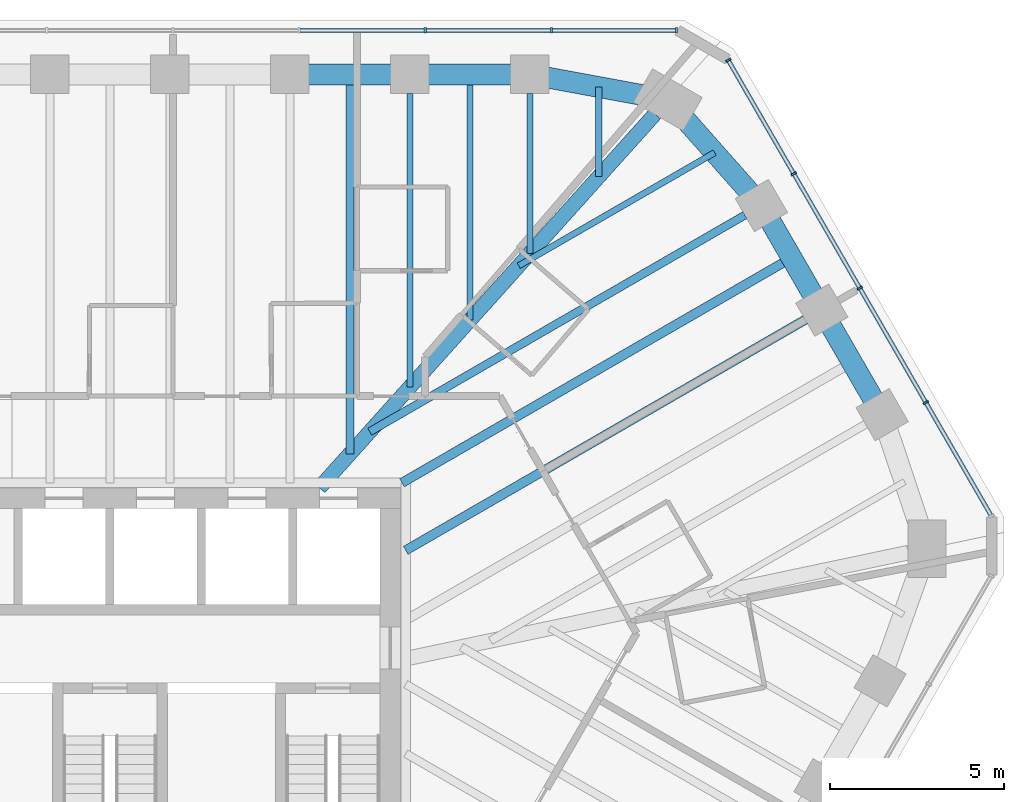
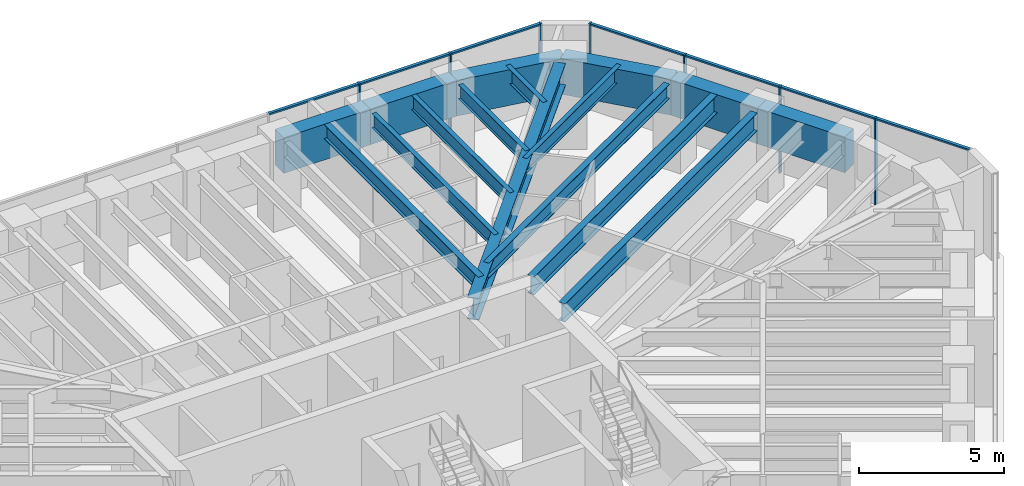
# One storey, part 7 of 14: 16 beams, 14 members, 2 elements without a shape of their own.
"""IFC4 building model written with IfcOpenShell, lengths in metres."""

from ifc_helpers import new_model, si_unit, direction, frame, origin, origin_2d, place, context, subcontext, project, spatial, rectangle, i_section, extrude, material, material_profile, profile_set, type_object, element, aggregate, save


model = new_model("IFC4")

# Units and contexts
model_context = context("Model", 3, precision=1e-05, world=origin(), true_north=direction((0.0, 1.0)))
body_context = subcontext(model_context, "Body", "Model", "MODEL_VIEW")
ifc_project = project(units=[si_unit("LENGTHUNIT", "METRE"), si_unit("AREAUNIT", "SQUARE_METRE"), si_unit("VOLUMEUNIT", "CUBIC_METRE"), si_unit("PLANEANGLEUNIT", "RADIAN"), si_unit("MASSUNIT", "GRAM", prefix="KILO")], contexts=[model_context])

# Site, building, storey
site_placement = place(None, origin())
site = spatial("IfcSite", under=ifc_project, at=site_placement, CompositionType="ELEMENT")
building_placement = place(site_placement, origin())
building = spatial("IfcBuilding", under=site, at=building_placement, Name="Sandreach Pilgrim Tower", CompositionType="ELEMENT")
storey_placement = place(building_placement, frame((0.0, 0.0, 272.199951171875)))
storey = spatial("IfcBuildingStorey", under=building, at=storey_placement, Name="L68", CompositionType="ELEMENT", Elevation=272.199951171875)

# Curtain wall, members
ifc_material_1 = material(Name="Aluminium framed curtain wall", Category="aluminium")
curtain_wall_type = type_object("IfcCurtainWallType", Name="Suite tower curtain wall", PredefinedType="NOTDEFINED", material=ifc_material_1)
curtain_wall_1_placement = place(storey_placement, origin())
curtain_wall_1 = element("IfcCurtainWall", 1, at=curtain_wall_1_placement, inside=storey, type_object=curtain_wall_type, Name="CW-4 L68 N", PredefinedType="NOTDEFINED")
ifc_material_2 = material(Name="Aluminium extrusion", Category="aluminium")
ifc_material_profile_1 = material_profile(ifc_material_2, rectangle(XDim=0.06005859375, YDim=0.159912109375, at=origin_2d()), Name="CW-4M 60X160")
ifc_profile_set_1 = profile_set([ifc_material_profile_1], Name="Aluminium extrusion")
member_type_1 = type_object("IfcMemberType", Name="CW-4 mullion", PredefinedType="MULLION", material=ifc_profile_set_1)
member_1_placement = place(storey_placement, frame((9.0546875, 19.826416015625, 0.0), z_axis=(0.0, 0.0, 1.0), x_axis=(1.0, 0.0, 0.0)))
member_1 = element("IfcMember", 2, at=member_1_placement, type_object=member_type_1, Name="CW-4 mullion 8", PredefinedType="MULLION", context=body_context, shape_type="SweptSolid", body=[
    extrude(rectangle(XDim=0.06005859375, YDim=0.159912109375, at=origin_2d()), origin(), (0.0, 0.0, 1.0), 3.64013671875),
])
member_2_placement = place(storey_placement, frame((12.676513671875, 19.826416015625, 0.0), z_axis=(0.0, 0.0, 1.0), x_axis=(1.0, 0.0, 0.0)))
member_2 = element("IfcMember", 3, at=member_2_placement, type_object=member_type_1, Name="CW-4 mullion 9", PredefinedType="MULLION", context=body_context, shape_type="SweptSolid", body=[
    extrude(rectangle(XDim=0.06005859375, YDim=0.159912109375, at=origin_2d()), origin(), (0.0, 0.0, 1.0), 3.64013671875),
])
member_3_placement = place(storey_placement, frame((16.268310546875, 19.826416015625, 0.0), z_axis=(0.0, 0.0, 1.0), x_axis=(1.0, 0.0, 0.0)))
member_3 = element("IfcMember", 4, at=member_3_placement, type_object=member_type_1, Name="CW-4 mullion 10", PredefinedType="MULLION", context=body_context, shape_type="SweptSolid", body=[
    extrude(rectangle(XDim=0.06005859375, YDim=0.159912109375, at=origin_2d()), origin(), (0.0, 0.0, 1.0), 3.64013671875),
])

curtain_wall_2_placement = place(storey_placement, origin())
curtain_wall_2 = element("IfcCurtainWall", 5, at=curtain_wall_2_placement, inside=storey, type_object=curtain_wall_type, Name="CW-4 L68 NE", PredefinedType="NOTDEFINED")
member_4_placement = place(storey_placement, frame((17.7509765625, 18.970458984375, 0.0), z_axis=(0.0, 0.0, 1.0), x_axis=(0.5, -0.866025403784, 0.0)))
member_4 = element("IfcMember", 6, at=member_4_placement, type_object=member_type_1, Name="CW-4 mullion 1", PredefinedType="MULLION", context=body_context, shape_type="SweptSolid", body=[
    extrude(rectangle(XDim=0.06005859375, YDim=0.159912109375, at=origin_2d()), origin(), (0.0, 0.0, 1.0), 3.64013671875),
])
member_5_placement = place(storey_placement, frame((19.6318359375, 15.712646484375, 0.0), z_axis=(0.0, 0.0, 1.0), x_axis=(0.5, -0.866025403784, 0.0)))
member_5 = element("IfcMember", 7, at=member_5_placement, type_object=member_type_1, Name="CW-4 mullion 2", PredefinedType="MULLION", context=body_context, shape_type="SweptSolid", body=[
    extrude(rectangle(XDim=0.06005859375, YDim=0.159912109375, at=origin_2d()), origin(), (0.0, 0.0, 1.0), 3.64013671875),
])
member_6_placement = place(storey_placement, frame((21.527587890625, 12.428955078125, 0.0), z_axis=(0.0, 0.0, 1.0), x_axis=(0.5, -0.866025403784, 0.0)))
member_6 = element("IfcMember", 8, at=member_6_placement, type_object=member_type_1, Name="CW-4 mullion 3", PredefinedType="MULLION", context=body_context, shape_type="SweptSolid", body=[
    extrude(rectangle(XDim=0.06005859375, YDim=0.159912109375, at=origin_2d()), origin(), (0.0, 0.0, 1.0), 3.64013671875),
])
member_7_placement = place(storey_placement, frame((23.423583984375, 9.145263671875, 0.0), z_axis=(0.0, 0.0, 1.0), x_axis=(0.5, -0.866025403784, 0.0)))
member_7 = element("IfcMember", 9, at=member_7_placement, type_object=member_type_1, Name="CW-4 mullion 4", PredefinedType="MULLION", context=body_context, shape_type="SweptSolid", body=[
    extrude(rectangle(XDim=0.06005859375, YDim=0.159912109375, at=origin_2d()), origin(), (0.0, 0.0, 1.0), 3.64013671875),
])

# Member
ifc_material_3 = material(Name="Aluminium extrusion", Category="aluminium")
ifc_material_profile_2 = material_profile(ifc_material_3, rectangle(XDim=0.1201171875, YDim=0.070068359375, at=origin_2d()), Name="CW-4T 120X70")
ifc_profile_set_2 = profile_set([ifc_material_profile_2], Name="Aluminium extrusion")
member_type_2 = type_object("IfcMemberType", Name="CW-4 transom", PredefinedType="USERDEFINED", material=ifc_profile_set_2)
member_8_placement = place(storey_placement, frame((5.462890625, 19.826416015625, 3.60498046875), z_axis=(1.0, 0.0, 0.0), x_axis=(0.0, 1.0, 0.0)))
member_8 = element("IfcMember", 10, at=member_8_placement, type_object=member_type_2, Name="CW-4 head transom 7", ObjectType="TRANSOM", PredefinedType="USERDEFINED", context=body_context, shape_type="SweptSolid", body=[
    extrude(rectangle(XDim=0.1201171875, YDim=0.070068359375, at=origin_2d()), origin(), (0.0, 0.0, 1.0), 3.561767578125),
])

member_9_placement = place(storey_placement, frame((9.084716796875, 19.826416015625, 3.60498046875), z_axis=(1.0, 0.0, 0.0), x_axis=(0.0, 1.0, 0.0)))
member_9 = element("IfcMember", 11, at=member_9_placement, type_object=member_type_2, Name="CW-4 head transom 8", ObjectType="TRANSOM", PredefinedType="USERDEFINED", context=body_context, shape_type="SweptSolid", body=[
    extrude(rectangle(XDim=0.1201171875, YDim=0.070068359375, at=origin_2d()), origin(), (0.0, 0.0, 1.0), 3.561767578125),
])

member_10_placement = place(storey_placement, frame((12.70654296875, 19.826416015625, 3.60498046875), z_axis=(1.0, 0.0, 0.0), x_axis=(0.0, 1.0, 0.0)))
member_10 = element("IfcMember", 12, at=member_10_placement, type_object=member_type_2, Name="CW-4 head transom 9", ObjectType="TRANSOM", PredefinedType="USERDEFINED", context=body_context, shape_type="SweptSolid", body=[
    extrude(rectangle(XDim=0.1201171875, YDim=0.070068359375, at=origin_2d()), origin(), (0.0, 0.0, 1.0), 3.53173828125),
])

aggregate(curtain_wall_1, [member_1, member_2, member_3, member_8, member_9, member_10])

member_11_placement = place(storey_placement, frame((17.76611328125, 18.944580078125, 3.60498046875), z_axis=(0.499990780478, -0.866030726613, 0.0), x_axis=(0.866030726613, 0.499990780478, 0.0)))
member_11 = element("IfcMember", 13, at=member_11_placement, type_object=member_type_2, Name="CW-4 head transom 1", ObjectType="TRANSOM", PredefinedType="USERDEFINED", context=body_context, shape_type="SweptSolid", body=[
    extrude(rectangle(XDim=0.1201171875, YDim=0.070068359375, at=origin_2d()), origin(), (0.0, 0.0, 1.0), 3.70166015625),
])

member_12_placement = place(storey_placement, frame((19.646728515625, 15.686767578125, 3.60498046875), z_axis=(0.500030151002, -0.866007995396, 0.0), x_axis=(0.866007995396, 0.500030151002, 0.0)))
member_12 = element("IfcMember", 14, at=member_12_placement, type_object=member_type_2, Name="CW-4 head transom 2", ObjectType="TRANSOM", PredefinedType="USERDEFINED", context=body_context, shape_type="SweptSolid", body=[
    extrude(rectangle(XDim=0.1201171875, YDim=0.070068359375, at=origin_2d()), origin(), (0.0, 0.0, 1.0), 3.731689453125),
])

member_13_placement = place(storey_placement, frame((21.542724609375, 12.403076171875, 3.60498046875), z_axis=(0.499981083104, -0.866036325184, 0.0), x_axis=(0.866036325184, 0.499981083104, 0.0)))
member_13 = element("IfcMember", 15, at=member_13_placement, type_object=member_type_2, Name="CW-4 head transom 3", ObjectType="TRANSOM", PredefinedType="USERDEFINED", context=body_context, shape_type="SweptSolid", body=[
    extrude(rectangle(XDim=0.1201171875, YDim=0.070068359375, at=origin_2d()), origin(), (0.0, 0.0, 1.0), 3.731689453125),
])

member_14_placement = place(storey_placement, frame((23.4384765625, 9.119384765625, 3.60498046875), z_axis=(0.499990780478, -0.866030726613, 0.0), x_axis=(0.866030726613, 0.499990780478, 0.0)))
member_14 = element("IfcMember", 16, at=member_14_placement, type_object=member_type_2, Name="CW-4 head transom 4", ObjectType="TRANSOM", PredefinedType="USERDEFINED", context=body_context, shape_type="SweptSolid", body=[
    extrude(rectangle(XDim=0.1201171875, YDim=0.070068359375, at=origin_2d()), origin(), (0.0, 0.0, 1.0), 3.70166015625),
])

aggregate(curtain_wall_2, [member_4, member_5, member_6, member_7, member_11, member_12, member_13, member_14])

# Beams
ifc_material_4 = material(Name="Steel ASTM A992 Grade 50", Category="steel")
ifc_material_profile_3 = material_profile(ifc_material_4, i_section(OverallWidth=0.419189453125, OverallDepth=0.927001953125, WebThickness=0.019287109375, FlangeThickness=0.031982421875, at=origin_2d()), Name="W36X231")
ifc_profile_set_3 = profile_set([ifc_material_profile_3], Name="Steel ASTM A992 Grade 50")
beam_type_1 = type_object("IfcBeamType", Name="Corner girder W36X231", PredefinedType="BEAM", material=ifc_profile_set_3)
beam_1_placement = place(storey_placement, frame((15.649169921875, 17.427978515625, 3.176513671875), z_axis=(-0.668114851597, -0.74405815974, 0.0), x_axis=(0.74405815974, -0.668114851597, 0.0)))
element("IfcBeam", 17, at=beam_1_placement, inside=storey, type_object=beam_type_1, Name="BM L68 CG09", PredefinedType="BEAM", context=body_context, shape_type="SweptSolid", body=[
    extrude(i_section(OverallWidth=0.419189453125, OverallDepth=0.927001953125, WebThickness=0.019287109375, FlangeThickness=0.031982421875, at=origin_2d()), origin(), (0.0, 0.0, 1.0), 14.418212890625),
])
ifc_material_5 = material(Name="Steel ASTM A992 Grade 50", Category="steel")
ifc_material_profile_4 = material_profile(ifc_material_5, i_section(OverallWidth=0.1787109375, OverallDepth=0.60205078125, WebThickness=0.010986328125, FlangeThickness=0.014892578125, at=origin_2d()), Name="W24X62")
ifc_profile_set_4 = profile_set([ifc_material_profile_4], Name="Steel ASTM A992 Grade 50")
beam_type_2 = type_object("IfcBeamType", Name="Floor beam W24X62", PredefinedType="BEAM", material=ifc_profile_set_4)
beam_2_placement = place(storey_placement, frame((8.612548828125, 18.016357421875, 3.339111328125), z_axis=(0.0, -1.0, 0.0), x_axis=(1.0, 0.0, 0.0)))
element("IfcBeam", 18, at=beam_2_placement, inside=storey, type_object=beam_type_2, Name="BM L68 F07", PredefinedType="BEAM", context=body_context, shape_type="SweptSolid", body=[
    extrude(i_section(OverallWidth=0.1787109375, OverallDepth=0.60205078125, WebThickness=0.010986328125, FlangeThickness=0.014892578125, at=origin_2d()), origin(), (0.0, 0.0, 1.0), 8.4248046875),
])
beam_3_placement = place(storey_placement, frame((12.0576171875, 18.016357421875, 3.339111328125), z_axis=(0.0, -1.0, 0.0), x_axis=(1.0, 0.0, 0.0)))
element("IfcBeam", 19, at=beam_3_placement, inside=storey, type_object=beam_type_2, Name="BM L68 F08", PredefinedType="BEAM", context=body_context, shape_type="SweptSolid", body=[
    extrude(i_section(OverallWidth=0.1787109375, OverallDepth=0.60205078125, WebThickness=0.010986328125, FlangeThickness=0.014892578125, at=origin_2d()), origin(), (0.0, 0.0, 1.0), 4.58837890625),
])
beam_4_placement = place(storey_placement, frame((10.3349609375, 18.56640625, 3.339111328125), z_axis=(0.0, -1.0, 0.0), x_axis=(1.0, 0.0, 0.0)))
element("IfcBeam", 20, at=beam_4_placement, inside=storey, type_object=beam_type_2, Name="BM L68 FM07", PredefinedType="BEAM", context=body_context, shape_type="SweptSolid", body=[
    extrude(i_section(OverallWidth=0.1787109375, OverallDepth=0.60205078125, WebThickness=0.010986328125, FlangeThickness=0.014892578125, at=origin_2d()), origin(), (0.0, 0.0, 1.0), 7.056640625),
])
beam_5_placement = place(storey_placement, frame((14.037109375, 18.201904296875, 3.339111328125), z_axis=(0.0, -1.0, 0.0), x_axis=(1.0, 0.0, 0.0)))
element("IfcBeam", 21, at=beam_5_placement, inside=storey, type_object=beam_type_2, Name="BM L68 FM08", PredefinedType="BEAM", context=body_context, shape_type="SweptSolid", body=[
    extrude(i_section(OverallWidth=0.1787109375, OverallDepth=0.60205078125, WebThickness=0.010986328125, FlangeThickness=0.014892578125, at=origin_2d()), origin(), (0.0, 0.0, 1.0), 2.5693359375),
])
beam_6_placement = place(storey_placement, frame((17.360107421875, 16.31884765625, 3.339111328125), z_axis=(-0.866023980233, -0.500002465655, 0.0), x_axis=(0.500002465655, -0.866023980233, 0.0)))
element("IfcBeam", 22, at=beam_6_placement, inside=storey, type_object=beam_type_2, Name="BM L68 FM09", PredefinedType="BEAM", context=body_context, shape_type="SweptSolid", body=[
    extrude(i_section(OverallWidth=0.1787109375, OverallDepth=0.60205078125, WebThickness=0.010986328125, FlangeThickness=0.014892578125, at=origin_2d()), origin(), (0.0, 0.0, 1.0), 6.49072265625),
])
ifc_material_6 = material(Name="Steel ASTM A992 Grade 50", Category="steel")
ifc_material_profile_5 = material_profile(ifc_material_6, i_section(OverallWidth=0.23046875, OverallDepth=0.6171875, WebThickness=0.01318359375, FlangeThickness=0.022216796875, at=origin_2d()), Name="W24X94")
ifc_profile_set_5 = profile_set([ifc_material_profile_5], Name="Steel ASTM A992 Grade 50")
beam_type_3 = type_object("IfcBeamType", Name="Floor beam W24X94", PredefinedType="BEAM", material=ifc_profile_set_5)
beam_7_placement = place(storey_placement, frame((18.227294921875, 14.525390625, 3.33154296875), z_axis=(-0.866020427415, -0.500008619226, 0.0), x_axis=(0.500008619226, -0.866020427415, 0.0)))
element("IfcBeam", 23, at=beam_7_placement, inside=storey, type_object=beam_type_3, Name="BM L68 F10", PredefinedType="BEAM", context=body_context, shape_type="SweptSolid", body=[
    extrude(i_section(OverallWidth=0.23046875, OverallDepth=0.6171875, WebThickness=0.01318359375, FlangeThickness=0.022216796875, at=origin_2d()), origin(), (0.0, 0.0, 1.0), 12.431396484375),
])
beam_8_placement = place(storey_placement, frame((6.89013671875, 18.56640625, 3.33154296875), z_axis=(0.0, -1.0, 0.0), x_axis=(1.0, 0.0, 0.0)))
element("IfcBeam", 24, at=beam_8_placement, inside=storey, type_object=beam_type_3, Name="BM L68 FM06", PredefinedType="BEAM", context=body_context, shape_type="SweptSolid", body=[
    extrude(i_section(OverallWidth=0.23046875, OverallDepth=0.6171875, WebThickness=0.01318359375, FlangeThickness=0.022216796875, at=origin_2d()), origin(), (0.0, 0.0, 1.0), 10.893310546875),
])
ifc_material_7 = material(Name="Steel ASTM A992 Grade 50", Category="steel")
ifc_material_profile_6 = material_profile(ifc_material_7, i_section(OverallWidth=0.2666015625, OverallDepth=0.761962890625, WebThickness=0.014404296875, FlangeThickness=0.021484375, at=origin_2d()), Name="W30X116")
ifc_profile_set_6 = profile_set([ifc_material_profile_6], Name="Steel ASTM A992 Grade 50")
beam_type_4 = type_object("IfcBeamType", Name="Floor beam W30X116", PredefinedType="BEAM", material=ifc_profile_set_6)
beam_9_placement = place(storey_placement, frame((19.960205078125, 11.52392578125, 3.259033203125), z_axis=(-0.86602530353, -0.500000173646, 0.0), x_axis=(0.500000173646, -0.86602530353, 0.0)))
element("IfcBeam", 25, at=beam_9_placement, inside=storey, type_object=beam_type_4, Name="BM L68 F11", PredefinedType="BEAM", context=body_context, shape_type="SweptSolid", body=[
    extrude(i_section(OverallWidth=0.2666015625, OverallDepth=0.761962890625, WebThickness=0.014404296875, FlangeThickness=0.021484375, at=origin_2d()), origin(), (0.0, 0.0, 1.0), 13.24072265625),
])
beam_10_placement = place(storey_placement, frame((19.570068359375, 13.299560546875, 3.259033203125), z_axis=(-0.866025008595, -0.500000684488, 0.0), x_axis=(0.500000684488, -0.866025008595, 0.0)))
element("IfcBeam", 26, at=beam_10_placement, inside=storey, type_object=beam_type_4, Name="BM L68 FM10", PredefinedType="BEAM", context=body_context, shape_type="SweptSolid", body=[
    extrude(i_section(OverallWidth=0.2666015625, OverallDepth=0.761962890625, WebThickness=0.014404296875, FlangeThickness=0.021484375, at=origin_2d()), origin(), (0.0, 0.0, 1.0), 12.91259765625),
])
ifc_material_8 = material(Name="Concrete 10000 psi", Category="concrete")
ifc_material_profile_7 = material_profile(ifc_material_8, rectangle(XDim=0.60009765625, YDim=1.5, at=origin_2d()), Name="RC600X1500")
ifc_profile_set_7 = profile_set([ifc_material_profile_7], Name="Concrete 10000 psi")
beam_type_5 = type_object("IfcBeamType", Name="Spandrel beam RC600X1500", PredefinedType="SPANDREL", material=ifc_profile_set_7)
for number, where, z_axis, x_axis, name in (
    (27, (5.16748046875, 18.56640625, 2.89013671875), (1.0, 0.0, 0.0), (0.0, 1.0, 0.0), "BM L68 SP06"),
    (28, (8.612548828125, 18.56640625, 2.89013671875), (1.0, 0.0, 0.0), (0.0, 1.0, 0.0), "BM L68 SP07"),
):
    element("IfcBeam", number, at=place(storey_placement, frame(where, z_axis=z_axis, x_axis=x_axis)), inside=storey, type_object=beam_type_5, Name=name, PredefinedType="SPANDREL", context=body_context, shape_type="SweptSolid", body=[
        extrude(rectangle(XDim=0.60009765625, YDim=1.5, at=origin_2d()), origin(), (0.0, 0.0, 1.0), 3.445068359375),
    ])
beam_11_placement = place(storey_placement, frame((12.0576171875, 18.56640625, 2.89013671875), z_axis=(0.983454894629, -0.181153167875, 0.0), x_axis=(0.181153167875, 0.983454894629, 0.0)))
element("IfcBeam", 29, at=beam_11_placement, inside=storey, type_object=beam_type_5, Name="BM L68 SP08", PredefinedType="SPANDREL", context=body_context, shape_type="SweptSolid", body=[
    extrude(rectangle(XDim=0.60009765625, YDim=1.5, at=origin_2d()), origin(), (0.0, 0.0, 1.0), 4.025634765625),
])
beam_12_placement = place(storey_placement, frame((16.0166015625, 17.837158203125, 2.89013671875), z_axis=(0.662650525414, -0.748928755736, 0.0), x_axis=(0.748928755736, 0.662650525414, 0.0)))
element("IfcBeam", 30, at=beam_12_placement, inside=storey, type_object=beam_type_5, Name="BM L68 SP09", PredefinedType="SPANDREL", context=body_context, shape_type="SweptSolid", body=[
    extrude(rectangle(XDim=0.60009765625, YDim=1.5, at=origin_2d()), origin(), (0.0, 0.0, 1.0), 4.054931640625),
])
for number, where, z_axis, x_axis, name in (
    (31, (18.70361328125, 14.80029296875, 2.89013671875), (0.500033451825, -0.866006089503, 0.0), (0.866006089503, 0.500033451825, 0.0), "BM L68 SP10"),
    (32, (20.4365234375, 11.799072265625, 2.89013671875), (0.499980616072, -0.866036594811, 0.0), (0.866036594811, 0.499980616072, 0.0), "BM L68 SP11"),
):
    element("IfcBeam", number, at=place(storey_placement, frame(where, z_axis=z_axis, x_axis=x_axis)), inside=storey, type_object=beam_type_5, Name=name, PredefinedType="SPANDREL", context=body_context, shape_type="SweptSolid", body=[
        extrude(rectangle(XDim=0.60009765625, YDim=1.5, at=origin_2d()), origin(), (0.0, 0.0, 1.0), 3.465576171875),
    ])

save(model, "model.ifc")
